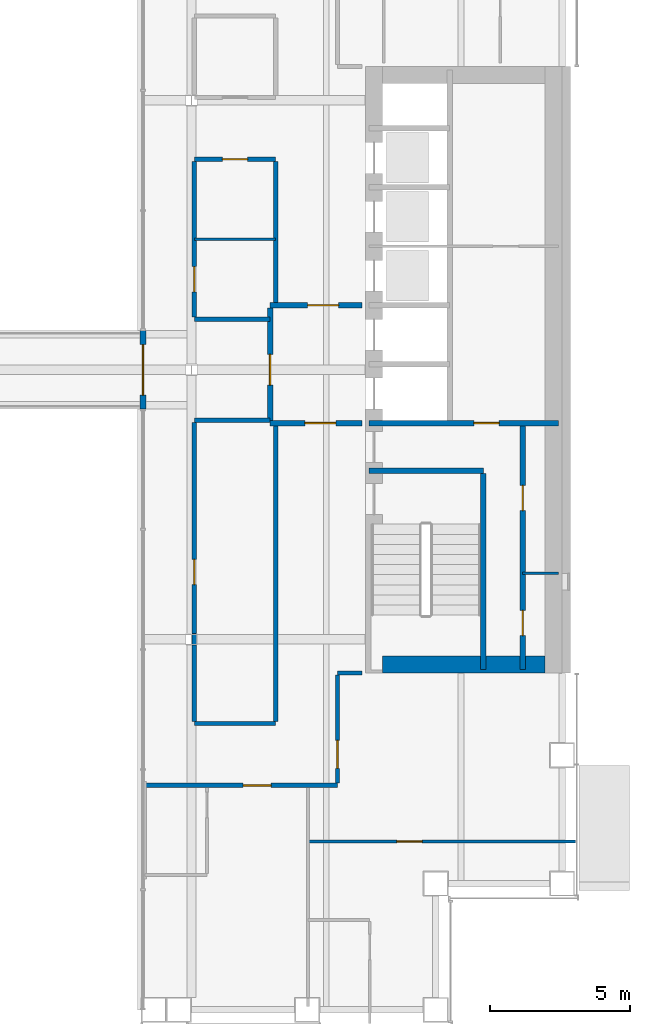
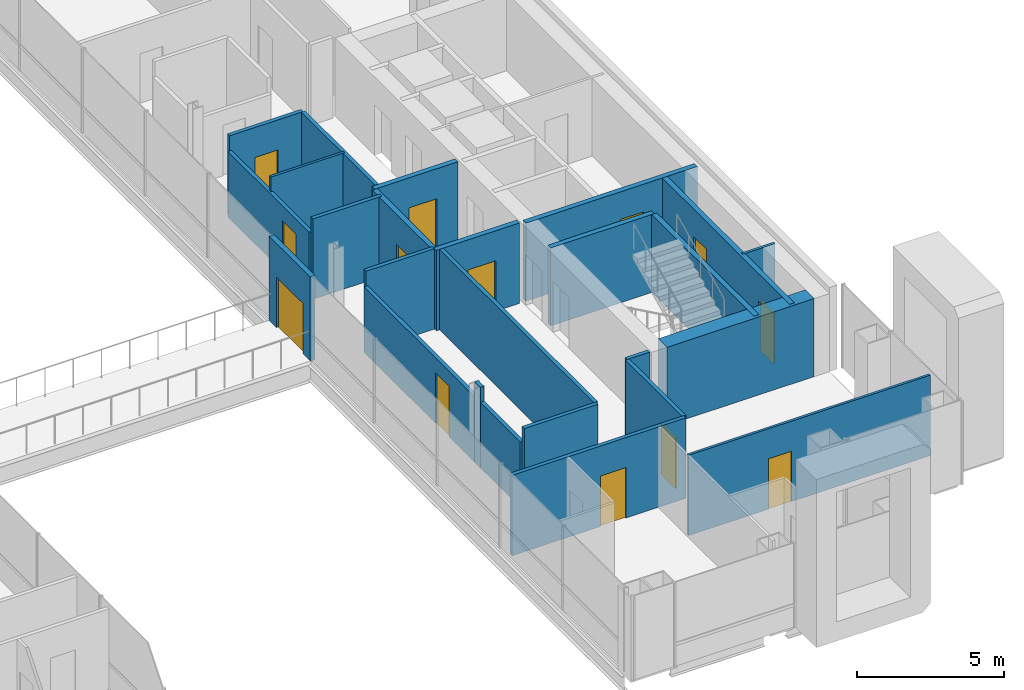
# One storey, part 11 of 17: 25 walls, 13 doors, 13 openings.
"""IFC4 building model written with IfcOpenShell, lengths in metres."""

from ifc_helpers import new_model, si_unit, direction, frame, frame_2d, origin, place, context, subcontext, project, spatial, rectangle, extrude, material, layer, layer_set, type_object, element, fill, save


model = new_model("IFC4")

# Units and contexts
model_context = context("Model", 3, precision=1e-05, world=origin(), true_north=direction((0.0, 1.0)))
body_context = subcontext(model_context, "Body", "Model", "MODEL_VIEW")
ifc_project = project(units=[si_unit("LENGTHUNIT", "METRE"), si_unit("AREAUNIT", "SQUARE_METRE"), si_unit("VOLUMEUNIT", "CUBIC_METRE"), si_unit("PLANEANGLEUNIT", "RADIAN"), si_unit("MASSUNIT", "GRAM", prefix="KILO")], contexts=[model_context])

# Site, building, storey
site_placement = place(None, origin())
site = spatial("IfcSite", under=ifc_project, at=site_placement, CompositionType="ELEMENT")
building_placement = place(site_placement, origin())
building = spatial("IfcBuilding", under=site, at=building_placement, Name="Cobrizo Arcos Hotel Tower", CompositionType="ELEMENT")
storey_placement = place(building_placement, frame((0.0, 0.0, 131.0)))
storey = spatial("IfcBuildingStorey", under=building, at=storey_placement, Name="L33", CompositionType="ELEMENT", Elevation=131.0)

# Wall, opening, door
ifc_material_1 = material(Name="Gypsum board partition")
ifc_layer_1 = layer(ifc_material_1, 0.14990234375)
ifc_layer_set_1 = layer_set([ifc_layer_1], Name="Corridor wall EI 60 150")
wall_type_1 = type_object("IfcWallType", Name="Corridor wall EI 60 150", PredefinedType="PARTITIONING", material=ifc_layer_set_1)
wall_1_placement = place(storey_placement, frame((7.949951171875, -14.800048828125, 0.0), z_axis=(0.0, 0.0, 1.0), x_axis=(1.0, 0.0, 0.0)))
wall_1 = element("IfcWall", 1, at=wall_1_placement, inside=storey, type_object=wall_type_1, Name="Partition 008", PredefinedType="PARTITIONING", context=body_context, shape_type="SweptSolid", body=[
    extrude(rectangle(XDim=6.85009765625, YDim=0.14990234375, at=frame_2d((3.425048828125, 0.0))), origin(), (0.0, 0.0, 1.0), 3.35009765625),
])
opening_1_placement = place(wall_1_placement, frame((3.487060546875, 0.0, 0.0)))
opening_1 = element("IfcOpeningElement", 2, at=opening_1_placement, cuts=wall_1, Name="Opening GD-02", PredefinedType="OPENING", context=body_context, shape_type="SweptSolid", body=[
    extrude(rectangle(XDim=1.0, YDim=2.10009765625, at=frame_2d((0.5, 1.050048828125))), frame((0.0, 0.0869140625, 0.0), z_axis=(0.0, -1.0, 0.0), x_axis=(1.0, 0.0, 0.0)), (0.0, 0.0, 1.0), 0.173828125),
])
ifc_material_2 = material(Name="Timber door leaf", Category="wood")
door_type_1 = type_object("IfcDoorType", Name="Guest room door FD30S 1000x2100", OperationType="SINGLE_SWING_LEFT", PredefinedType="DOOR", material=ifc_material_2)
door_1_placement = place(opening_1_placement, origin())
door_1 = element("IfcDoor", 3, at=door_1_placement, inside=storey, type_object=door_type_1, Name="Door GD-02", OperationType="SINGLE_SWING_LEFT", OverallHeight=2.10009765625, OverallWidth=1.0, PredefinedType="DOOR", context=body_context, shape_type="SweptSolid", body=[
    extrude(rectangle(XDim=1.0, YDim=2.10009765625, at=frame_2d((0.5, 1.050048828125))), frame((0.0, 0.02490234375, 0.0), z_axis=(0.0, -1.0, 0.0), x_axis=(1.0, 0.0, 0.0)), (0.0, 0.0, 1.0), 0.050048828125),
])
fill(opening_1, door_1)

# Walls
wall_2_placement = place(storey_placement, frame((9.699951171875, -12.60009765625, 0.0), z_axis=(0.0, 0.0, 1.0), x_axis=(1.0, 0.0, 0.0)))
element("IfcWall", 4, at=wall_2_placement, inside=storey, type_object=wall_type_1, Name="Partition 010", PredefinedType="PARTITIONING", context=body_context, shape_type="SweptSolid", body=[
    extrude(rectangle(XDim=2.900146484375, YDim=0.14990234375, at=frame_2d((1.4501953125, 0.0))), origin(), (0.0, 0.0, 1.0), 3.35009765625),
])
wall_3_placement = place(storey_placement, frame((14.800048828125, -10.800048828125, 0.0), z_axis=(0.0, 0.0, 1.0), x_axis=(1.0, 0.0, 0.0)))
element("IfcWall", 5, at=wall_3_placement, inside=storey, type_object=wall_type_1, Name="Partition 012", PredefinedType="PARTITIONING", context=body_context, shape_type="SweptSolid", body=[
    extrude(rectangle(XDim=0.8798828125, YDim=0.14990234375, at=frame_2d((0.43994140625, 0.0))), origin(), (0.0, 0.0, 1.0), 3.35009765625),
])
for number, where, z_axis, x_axis, name in (
    (6, (9.699951171875, -1.800048828125, 0.0), (0.0, 0.0, 1.0), (1.0, 0.0, 0.0), "Partition 022"),
    (7, (9.699951171875, 1.800048828125, 0.0), (0.0, 0.0, 1.0), (1.0, 0.0, 0.0), "Partition 026"),
):
    element("IfcWall", number, at=place(storey_placement, frame(where, z_axis=z_axis, x_axis=x_axis)), inside=storey, type_object=wall_type_1, Name=name, PredefinedType="PARTITIONING", context=body_context, shape_type="SweptSolid", body=[
        extrude(rectangle(XDim=2.699951171875, YDim=0.14990234375, at=frame_2d((1.35009765625, 0.0))), origin(), (0.0, 0.0, 1.0), 3.35009765625),
    ])

# Wall, opening, door
wall_4_placement = place(storey_placement, frame((9.699951171875, 7.5, 0.0), z_axis=(0.0, 0.0, 1.0), x_axis=(1.0, 0.0, 0.0)))
wall_4 = element("IfcWall", 8, at=wall_4_placement, inside=storey, type_object=wall_type_1, Name="Partition 037", PredefinedType="PARTITIONING", context=body_context, shape_type="SweptSolid", body=[
    extrude(rectangle(XDim=2.900146484375, YDim=0.14990234375, at=frame_2d((1.4501953125, 0.0))), origin(), (0.0, 0.0, 1.0), 3.35009765625),
])
opening_2_placement = place(wall_4_placement, frame((1.0, 0.0, 0.0)))
opening_2 = element("IfcOpeningElement", 9, at=opening_2_placement, cuts=wall_4, Name="Opening ED-09", PredefinedType="OPENING", context=body_context, shape_type="SweptSolid", body=[
    extrude(rectangle(XDim=0.89990234375, YDim=2.10009765625, at=frame_2d((0.449951171875, 1.050048828125))), frame((0.0, 0.0869140625, 0.0), z_axis=(0.0, -1.0, 0.0), x_axis=(1.0, 0.0, 0.0)), (0.0, 0.0, 1.0), 0.173828125),
])
door_type_2 = type_object("IfcDoorType", Name="En-suite door 900x2100", OperationType="SINGLE_SWING_LEFT", PredefinedType="DOOR", material=ifc_material_2)
door_2_placement = place(opening_2_placement, origin())
door_2 = element("IfcDoor", 10, at=door_2_placement, inside=storey, type_object=door_type_2, Name="Door ED-09", OperationType="SINGLE_SWING_RIGHT", OverallHeight=2.10009765625, OverallWidth=0.89990234375, PredefinedType="DOOR", context=body_context, shape_type="SweptSolid", body=[
    extrude(rectangle(XDim=0.89990234375, YDim=2.10009765625, at=frame_2d((0.449951171875, 1.050048828125))), frame((0.0, 0.02490234375, 0.0), z_axis=(0.0, -1.0, 0.0), x_axis=(1.0, 0.0, 0.0)), (0.0, 0.0, 1.0), 0.050048828125),
])
fill(opening_2, door_2)

# Walls
wall_5_placement = place(storey_placement, frame((9.699951171875, -12.52490234375, 0.0), z_axis=(0.0, 0.0, 1.0), x_axis=(0.0, 1.0, 0.0)))
element("IfcWall", 11, at=wall_5_placement, inside=storey, type_object=wall_type_1, Name="Partition 072", PredefinedType="PARTITIONING", context=body_context, shape_type="SweptSolid", body=[
    extrude(rectangle(XDim=2.725830078125, YDim=0.14990234375, at=frame_2d((1.36279296875, 0.0))), origin(), (0.0, 0.0, 1.0), 2.72802734375),
])
wall_6_placement = place(storey_placement, frame((9.699951171875, -9.799072265625, 0.0), z_axis=(0.0, 0.0, 1.0), x_axis=(0.0, 1.0, 0.0)))
element("IfcWall", 12, at=wall_6_placement, inside=storey, type_object=wall_type_1, Name="Partition 073", PredefinedType="PARTITIONING", context=body_context, shape_type="SweptSolid", body=[
    extrude(rectangle(XDim=0.398193359375, YDim=0.14990234375, at=frame_2d((0.19921875, 0.0))), origin(), (0.0, 0.0, 1.0), 3.35009765625),
])

# Wall, opening, door
wall_7_placement = place(storey_placement, frame((9.699951171875, -9.40087890625, 0.0), z_axis=(0.0, 0.0, 1.0), x_axis=(0.0, 1.0, 0.0)))
wall_7 = element("IfcWall", 13, at=wall_7_placement, inside=storey, type_object=wall_type_1, Name="Partition 074", PredefinedType="PARTITIONING", context=body_context, shape_type="SweptSolid", body=[
    extrude(rectangle(XDim=7.52587890625, YDim=0.14990234375, at=frame_2d((3.762939453125, 0.0))), origin(), (0.0, 0.0, 1.0), 2.72802734375),
])
opening_3_placement = place(wall_7_placement, frame((1.7509765625, 0.0, 0.0)))
opening_3 = element("IfcOpeningElement", 14, at=opening_3_placement, cuts=wall_7, Name="Opening RD-17", PredefinedType="OPENING", context=body_context, shape_type="SweptSolid", body=[
    extrude(rectangle(XDim=0.89990234375, YDim=2.10009765625, at=frame_2d((0.449951171875, 1.050048828125))), frame((0.0, 0.0869140625, 0.0), z_axis=(0.0, -1.0, 0.0), x_axis=(1.0, 0.0, 0.0)), (0.0, 0.0, 1.0), 0.173828125),
])
door_type_3 = type_object("IfcDoorType", Name="Room door FD30 900x2100", OperationType="SINGLE_SWING_LEFT", PredefinedType="DOOR", material=ifc_material_2)
door_3_placement = place(opening_3_placement, origin())
door_3 = element("IfcDoor", 15, at=door_3_placement, inside=storey, type_object=door_type_3, Name="Door RD-17", OperationType="SINGLE_SWING_LEFT", OverallHeight=2.10009765625, OverallWidth=0.89990234375, PredefinedType="DOOR", context=body_context, shape_type="SweptSolid", body=[
    extrude(rectangle(XDim=0.89990234375, YDim=2.10009765625, at=frame_2d((0.449951171875, 1.050048828125))), frame((0.0, 0.02490234375, 0.0), z_axis=(0.0, -1.0, 0.0), x_axis=(1.0, 0.0, 0.0)), (0.0, 0.0, 1.0), 0.050048828125),
])
fill(opening_3, door_3)

wall_8_placement = place(storey_placement, frame((9.699951171875, 1.875, 0.0), z_axis=(0.0, 0.0, 1.0), x_axis=(0.0, 1.0, 0.0)))
wall_8 = element("IfcWall", 16, at=wall_8_placement, inside=storey, type_object=wall_type_1, Name="Partition 075", PredefinedType="PARTITIONING", context=body_context, shape_type="SweptSolid", body=[
    extrude(rectangle(XDim=5.550048828125, YDim=0.14990234375, at=frame_2d((2.77490234375, 0.0))), origin(), (0.0, 0.0, 1.0), 2.72802734375),
])
opening_4_placement = place(wall_8_placement, frame((0.89990234375, 0.0, 0.0)))
opening_4 = element("IfcOpeningElement", 17, at=opening_4_placement, cuts=wall_8, Name="Opening ED-08", PredefinedType="OPENING", context=body_context, shape_type="SweptSolid", body=[
    extrude(rectangle(XDim=0.89990234375, YDim=2.10009765625, at=frame_2d((0.449951171875, 1.050048828125))), frame((0.0, 0.0869140625, 0.0), z_axis=(0.0, -1.0, 0.0), x_axis=(1.0, 0.0, 0.0)), (0.0, 0.0, 1.0), 0.173828125),
])
door_4_placement = place(opening_4_placement, origin())
door_4 = element("IfcDoor", 18, at=door_4_placement, inside=storey, type_object=door_type_2, Name="Door ED-08", OperationType="SINGLE_SWING_LEFT", OverallHeight=2.10009765625, OverallWidth=0.89990234375, PredefinedType="DOOR", context=body_context, shape_type="SweptSolid", body=[
    extrude(rectangle(XDim=0.89990234375, YDim=2.10009765625, at=frame_2d((0.449951171875, 1.050048828125))), frame((0.0, 0.02490234375, 0.0), z_axis=(0.0, -1.0, 0.0), x_axis=(1.0, 0.0, 0.0)), (0.0, 0.0, 1.0), 0.050048828125),
])
fill(opening_4, door_4)

# Walls
wall_9_placement = place(storey_placement, frame((12.60009765625, -12.52490234375, 0.0), z_axis=(0.0, 0.0, 1.0), x_axis=(0.0, 1.0, 0.0)))
element("IfcWall", 19, at=wall_9_placement, inside=storey, type_object=wall_type_1, Name="Partition 079", PredefinedType="PARTITIONING", context=body_context, shape_type="SweptSolid", body=[
    extrude(rectangle(XDim=10.52490234375, YDim=0.14990234375, at=frame_2d((5.262451171875, 0.0))), origin(), (0.0, 0.0, 1.0), 3.35009765625),
])
wall_10_placement = place(storey_placement, frame((12.60009765625, 2.39990234375, 0.0), z_axis=(0.0, 0.0, 1.0), x_axis=(0.0, 1.0, 0.0)))
element("IfcWall", 20, at=wall_10_placement, inside=storey, type_object=wall_type_1, Name="Partition 080", PredefinedType="PARTITIONING", context=body_context, shape_type="SweptSolid", body=[
    extrude(rectangle(XDim=5.025146484375, YDim=0.14990234375, at=frame_2d((2.5126953125, 0.0))), origin(), (0.0, 0.0, 1.0), 3.35009765625),
])

# Wall, opening, door
wall_11_placement = place(storey_placement, frame((14.800048828125, -14.72509765625, 0.0), z_axis=(0.0, 0.0, 1.0), x_axis=(0.0, 1.0, 0.0)))
wall_11 = element("IfcWall", 21, at=wall_11_placement, inside=storey, type_object=wall_type_1, Name="Partition 084", PredefinedType="PARTITIONING", context=body_context, shape_type="SweptSolid", body=[
    extrude(rectangle(XDim=3.85009765625, YDim=0.14990234375, at=frame_2d((1.925048828125, 0.0))), origin(), (0.0, 0.0, 1.0), 3.35009765625),
])
opening_5_placement = place(wall_11_placement, frame((0.52490234375, 0.0, 0.0)))
opening_5 = element("IfcOpeningElement", 22, at=opening_5_placement, cuts=wall_11, Name="Opening GD-06", PredefinedType="OPENING", context=body_context, shape_type="SweptSolid", body=[
    extrude(rectangle(XDim=1.0, YDim=2.10009765625, at=frame_2d((0.5, 1.050048828125))), frame((0.0, 0.0869140625, 0.0), z_axis=(0.0, -1.0, 0.0), x_axis=(1.0, 0.0, 0.0)), (0.0, 0.0, 1.0), 0.173828125),
])
door_5_placement = place(opening_5_placement, origin())
door_5 = element("IfcDoor", 23, at=door_5_placement, inside=storey, type_object=door_type_1, Name="Door GD-06", OperationType="SINGLE_SWING_RIGHT", OverallHeight=2.10009765625, OverallWidth=1.0, PredefinedType="DOOR", context=body_context, shape_type="SweptSolid", body=[
    extrude(rectangle(XDim=1.0, YDim=2.10009765625, at=frame_2d((0.5, 1.050048828125))), frame((0.0, 0.02490234375, 0.0), z_axis=(0.0, -1.0, 0.0), x_axis=(1.0, 0.0, 0.0)), (0.0, 0.0, 1.0), 0.050048828125),
])
fill(opening_5, door_5)

ifc_material_3 = material(Name="Aluminium 6063-T6 anodised pale", Category="aluminium")
ifc_layer_2 = layer(ifc_material_3, 0.199951171875)
ifc_layer_set_2 = layer_set([ifc_layer_2], Name="EW-4 sky bridge door frame wall")
wall_type_2 = type_object("IfcWallType", Name="EW-4 sky bridge door frame wall", PredefinedType="SOLIDWALL", material=ifc_layer_set_2)
wall_12_placement = place(storey_placement, frame((7.875, -1.39990234375, 0.0), z_axis=(0.0, 0.0, 1.0), x_axis=(0.0, 1.0, 0.0)))
wall_12 = element("IfcWall", 24, at=wall_12_placement, inside=storey, type_object=wall_type_2, Name="Sky bridge door wall B E", PredefinedType="SOLIDWALL", context=body_context, shape_type="SweptSolid", body=[
    extrude(rectangle(XDim=2.7998046875, YDim=0.199951171875, at=frame_2d((1.39990234375, 0.0))), origin(), (0.0, 0.0, 1.0), 3.5),
])
opening_6_placement = place(wall_12_placement, frame((0.5, 0.0, 0.0)))
opening_6 = element("IfcOpeningElement", 25, at=opening_6_placement, cuts=wall_12, Name="Opening E-52", PredefinedType="OPENING", context=body_context, shape_type="SweptSolid", body=[
    extrude(rectangle(XDim=1.800048828125, YDim=2.10009765625, at=frame_2d((0.89990234375, 1.050048828125))), frame((0.0, 0.112060546875, 0.0), z_axis=(0.0, -1.0, 0.0), x_axis=(1.0, 0.0, 0.0)), (0.0, 0.0, 1.0), 0.223876953125),
])
ifc_material_4 = material(Name="Aluminium 6063-T6 and clear laminated glass", Category="aluminium")
door_type_4 = type_object("IfcDoorType", Name="D-B1 sky bridge double door 1800x2100", OperationType="DOUBLE_DOOR_DOUBLE_SWING", PredefinedType="DOOR", material=ifc_material_4)
door_6_placement = place(opening_6_placement, origin())
door_6 = element("IfcDoor", 26, at=door_6_placement, inside=storey, type_object=door_type_4, Name="Sky bridge door wall B E door E-52", OperationType="DOUBLE_DOOR_DOUBLE_SWING", OverallHeight=2.10009765625, OverallWidth=1.800048828125, PredefinedType="DOOR", context=body_context, shape_type="SweptSolid", body=[
    extrude(rectangle(XDim=1.800048828125, YDim=2.10009765625, at=frame_2d((0.89990234375, 1.050048828125))), frame((0.0, 0.02490234375, 0.0), z_axis=(0.0, -1.0, 0.0), x_axis=(1.0, 0.0, 0.0)), (0.0, 0.0, 1.0), 0.050048828125),
])
fill(opening_6, door_6)

ifc_layer_3 = layer(ifc_material_1, 0.10009765625)
ifc_layer_set_3 = layer_set([ifc_layer_3], Name="Partition EI 30 100")
wall_type_3 = type_object("IfcWallType", Name="Partition EI 30 100", PredefinedType="PARTITIONING", material=ifc_layer_set_3)
wall_13_placement = place(storey_placement, frame((13.75, -16.800048828125, 0.0), z_axis=(0.0, 0.0, 1.0), x_axis=(1.0, 0.0, 0.0)))
wall_13 = element("IfcWall", 27, at=wall_13_placement, inside=storey, type_object=wall_type_3, Name="Partition 005", PredefinedType="PARTITIONING", context=body_context, shape_type="SweptSolid", body=[
    extrude(rectangle(XDim=9.530029296875, YDim=0.10009765625, at=frame_2d((4.76513671875, 0.0))), origin(), (0.0, 0.0, 1.0), 3.35009765625),
])
opening_7_placement = place(wall_13_placement, frame((3.1630859375, 0.0, 0.0)))
opening_7 = element("IfcOpeningElement", 28, at=opening_7_placement, cuts=wall_13, Name="Opening RD-12", PredefinedType="OPENING", context=body_context, shape_type="SweptSolid", body=[
    extrude(rectangle(XDim=0.89990234375, YDim=2.10009765625, at=frame_2d((0.449951171875, 1.050048828125))), frame((0.0, 0.06201171875, 0.0), z_axis=(0.0, -1.0, 0.0), x_axis=(1.0, 0.0, 0.0)), (0.0, 0.0, 1.0), 0.1240234375),
])
door_7_placement = place(opening_7_placement, origin())
door_7 = element("IfcDoor", 29, at=door_7_placement, inside=storey, type_object=door_type_3, Name="Door RD-12", OperationType="SINGLE_SWING_RIGHT", OverallHeight=2.10009765625, OverallWidth=0.89990234375, PredefinedType="DOOR", context=body_context, shape_type="SweptSolid", body=[
    extrude(rectangle(XDim=0.89990234375, YDim=2.10009765625, at=frame_2d((0.449951171875, 1.050048828125))), frame((0.0, 0.02490234375, 0.0), z_axis=(0.0, -1.0, 0.0), x_axis=(1.0, 0.0, 0.0)), (0.0, 0.0, 1.0), 0.050048828125),
])
fill(opening_7, door_7)

# Walls
wall_14_placement = place(storey_placement, frame((21.39990234375, -7.25, 0.0), z_axis=(0.0, 0.0, 1.0), x_axis=(1.0, 0.0, 0.0)))
element("IfcWall", 30, at=wall_14_placement, inside=storey, type_object=wall_type_3, Name="Partition 014", PredefinedType="PARTITIONING", context=body_context, shape_type="SweptSolid", body=[
    extrude(rectangle(XDim=1.280029296875, YDim=0.10009765625, at=frame_2d((0.64013671875, 0.0))), origin(), (0.0, 0.0, 1.0), 3.25),
])
wall_15_placement = place(storey_placement, frame((9.699951171875, 4.64990234375, 0.0), z_axis=(0.0, 0.0, 1.0), x_axis=(1.0, 0.0, 0.0)))
element("IfcWall", 31, at=wall_15_placement, inside=storey, type_object=wall_type_3, Name="Partition 033", PredefinedType="PARTITIONING", context=body_context, shape_type="SweptSolid", body=[
    extrude(rectangle(XDim=2.900146484375, YDim=0.10009765625, at=frame_2d((1.4501953125, 0.0))), origin(), (0.0, 0.0, 1.0), 3.35009765625),
])
ifc_material_5 = material(Name="Concrete f'c 50 MPa", Category="concrete")
ifc_layer_4 = layer(ifc_material_5, 0.60009765625)
ifc_layer_set_4 = layer_set([ifc_layer_4], Name="RC core wall 600 f'c 50")
wall_type_4 = type_object("IfcWallType", Name="RC core wall 600 f'c 50", PredefinedType="SHEAR", material=ifc_layer_set_4)
wall_16_placement = place(storey_placement, frame((16.39990234375, -10.5, 0.0), z_axis=(0.0, 0.0, 1.0), x_axis=(1.0, 0.0, 0.0)))
element("IfcWall", 32, at=wall_16_placement, inside=storey, type_object=wall_type_4, Name="Core wall CW2, east core, south end, L33", PredefinedType="SHEAR", context=body_context, shape_type="SweptSolid", body=[
    extrude(rectangle(XDim=5.800048828125, YDim=0.60009765625, at=frame_2d((2.89990234375, 0.0))), origin(), (0.0, 0.0, 1.0), 3.25),
])

# Wall, opening, door
ifc_layer_5 = layer(ifc_material_1, 0.199951171875)
ifc_layer_set_5 = layer_set([ifc_layer_5], Name="Shaft wall EI 120 200")
wall_type_5 = type_object("IfcWallType", Name="Shaft wall EI 120 200", PredefinedType="PARTITIONING", material=ifc_layer_set_5)
wall_17_placement = place(storey_placement, frame((12.39990234375, -1.89990234375, 0.0), z_axis=(0.0, 0.0, 1.0), x_axis=(1.0, 0.0, 0.0)))
wall_17 = element("IfcWall", 33, at=wall_17_placement, inside=storey, type_object=wall_type_5, Name="Partition 019", PredefinedType="PARTITIONING", context=body_context, shape_type="SweptSolid", body=[
    extrude(rectangle(XDim=3.280029296875, YDim=0.199951171875, at=frame_2d((1.64013671875, 0.0))), origin(), (0.0, 0.0, 1.0), 3.35009765625),
])
opening_8_placement = place(wall_17_placement, frame((1.239990234375, 0.0, 0.0)))
opening_8 = element("IfcOpeningElement", 34, at=opening_8_placement, cuts=wall_17, Name="Opening FD-07", PredefinedType="OPENING", context=body_context, shape_type="SweptSolid", body=[
    extrude(rectangle(XDim=1.10009765625, YDim=2.10009765625, at=frame_2d((0.550048828125, 1.050048828125))), frame((0.0, 0.112060546875, 0.0), z_axis=(0.0, -1.0, 0.0), x_axis=(1.0, 0.0, 0.0)), (0.0, 0.0, 1.0), 0.223876953125),
])
ifc_material_6 = material(Name="Steel door leaf", Category="steel")
door_type_5 = type_object("IfcDoorType", Name="Fire door FD60 1100x2100", OperationType="SINGLE_SWING_LEFT", PredefinedType="DOOR", material=ifc_material_6)
door_8_placement = place(opening_8_placement, origin())
door_8 = element("IfcDoor", 35, at=door_8_placement, inside=storey, type_object=door_type_5, Name="Door FD-07", OperationType="SINGLE_SWING_LEFT", OverallHeight=2.10009765625, OverallWidth=1.10009765625, PredefinedType="DOOR", context=body_context, shape_type="SweptSolid", body=[
    extrude(rectangle(XDim=1.10009765625, YDim=2.10009765625, at=frame_2d((0.550048828125, 1.050048828125))), frame((0.0, 0.02490234375, 0.0), z_axis=(0.0, -1.0, 0.0), x_axis=(1.0, 0.0, 0.0)), (0.0, 0.0, 1.0), 0.050048828125),
])
fill(opening_8, door_8)

wall_18_placement = place(storey_placement, frame((15.919921875, -1.89990234375, 0.0), z_axis=(0.0, 0.0, 1.0), x_axis=(1.0, 0.0, 0.0)))
wall_18 = element("IfcWall", 36, at=wall_18_placement, inside=storey, type_object=wall_type_5, Name="Partition 020", PredefinedType="PARTITIONING", context=body_context, shape_type="SweptSolid", body=[
    extrude(rectangle(XDim=6.760009765625, YDim=0.199951171875, at=frame_2d((3.3798828125, 0.0))), origin(), (0.0, 0.0, 1.0), 3.25),
])
opening_9_placement = place(wall_18_placement, frame((3.739990234375, 0.0, 0.0)))
opening_9 = element("IfcOpeningElement", 37, at=opening_9_placement, cuts=wall_18, Name="Opening RD-07", PredefinedType="OPENING", context=body_context, shape_type="SweptSolid", body=[
    extrude(rectangle(XDim=0.89990234375, YDim=2.10009765625, at=frame_2d((0.449951171875, 1.050048828125))), frame((0.0, 0.112060546875, 0.0), z_axis=(0.0, -1.0, 0.0), x_axis=(1.0, 0.0, 0.0)), (0.0, 0.0, 1.0), 0.223876953125),
])
door_9_placement = place(opening_9_placement, origin())
door_9 = element("IfcDoor", 38, at=door_9_placement, inside=storey, type_object=door_type_3, Name="Door RD-07", OperationType="SINGLE_SWING_LEFT", OverallHeight=2.10009765625, OverallWidth=0.89990234375, PredefinedType="DOOR", context=body_context, shape_type="SweptSolid", body=[
    extrude(rectangle(XDim=0.89990234375, YDim=2.10009765625, at=frame_2d((0.449951171875, 1.050048828125))), frame((0.0, 0.02490234375, 0.0), z_axis=(0.0, -1.0, 0.0), x_axis=(1.0, 0.0, 0.0)), (0.0, 0.0, 1.0), 0.050048828125),
])
fill(opening_9, door_9)

wall_19_placement = place(storey_placement, frame((12.39990234375, 2.300048828125, 0.0), z_axis=(0.0, 0.0, 1.0), x_axis=(1.0, 0.0, 0.0)))
wall_19 = element("IfcWall", 39, at=wall_19_placement, inside=storey, type_object=wall_type_5, Name="Partition 029", PredefinedType="PARTITIONING", context=body_context, shape_type="SweptSolid", body=[
    extrude(rectangle(XDim=3.280029296875, YDim=0.199951171875, at=frame_2d((1.64013671875, 0.0))), origin(), (0.0, 0.0, 1.0), 3.35009765625),
])
opening_10_placement = place(wall_19_placement, frame((1.340087890625, 0.0, 0.0)))
opening_10 = element("IfcOpeningElement", 40, at=opening_10_placement, cuts=wall_19, Name="Opening FD-08", PredefinedType="OPENING", context=body_context, shape_type="SweptSolid", body=[
    extrude(rectangle(XDim=1.10009765625, YDim=2.10009765625, at=frame_2d((0.550048828125, 1.050048828125))), frame((0.0, 0.112060546875, 0.0), z_axis=(0.0, -1.0, 0.0), x_axis=(1.0, 0.0, 0.0)), (0.0, 0.0, 1.0), 0.223876953125),
])
door_10_placement = place(opening_10_placement, origin())
door_10 = element("IfcDoor", 41, at=door_10_placement, inside=storey, type_object=door_type_5, Name="Door FD-08", OperationType="SINGLE_SWING_LEFT", OverallHeight=2.10009765625, OverallWidth=1.10009765625, PredefinedType="DOOR", context=body_context, shape_type="SweptSolid", body=[
    extrude(rectangle(XDim=1.10009765625, YDim=2.10009765625, at=frame_2d((0.550048828125, 1.050048828125))), frame((0.0, 0.02490234375, 0.0), z_axis=(0.0, -1.0, 0.0), x_axis=(1.0, 0.0, 0.0)), (0.0, 0.0, 1.0), 0.050048828125),
])
fill(opening_10, door_10)

wall_20_placement = place(storey_placement, frame((12.39990234375, -1.800048828125, 0.0), z_axis=(0.0, 0.0, 1.0), x_axis=(0.0, 1.0, 0.0)))
wall_20 = element("IfcWall", 42, at=wall_20_placement, inside=storey, type_object=wall_type_5, Name="Partition 078", PredefinedType="PARTITIONING", context=body_context, shape_type="SweptSolid", body=[
    extrude(rectangle(XDim=4.0, YDim=0.199951171875, at=frame_2d((2.0, 0.0))), origin(), (0.0, 0.0, 1.0), 3.35009765625),
])
opening_11_placement = place(wall_20_placement, frame((1.25, 0.0, 0.0)))
opening_11 = element("IfcOpeningElement", 43, at=opening_11_placement, cuts=wall_20, Name="Opening FD-06", PredefinedType="OPENING", context=body_context, shape_type="SweptSolid", body=[
    extrude(rectangle(XDim=1.10009765625, YDim=2.10009765625, at=frame_2d((0.550048828125, 1.050048828125))), frame((0.0, 0.112060546875, 0.0), z_axis=(0.0, -1.0, 0.0), x_axis=(1.0, 0.0, 0.0)), (0.0, 0.0, 1.0), 0.223876953125),
])
door_11_placement = place(opening_11_placement, origin())
door_11 = element("IfcDoor", 44, at=door_11_placement, inside=storey, type_object=door_type_5, Name="Door FD-06", OperationType="SINGLE_SWING_RIGHT", OverallHeight=2.10009765625, OverallWidth=1.10009765625, PredefinedType="DOOR", context=body_context, shape_type="SweptSolid", body=[
    extrude(rectangle(XDim=1.10009765625, YDim=2.10009765625, at=frame_2d((0.550048828125, 1.050048828125))), frame((0.0, 0.02490234375, 0.0), z_axis=(0.0, -1.0, 0.0), x_axis=(1.0, 0.0, 0.0)), (0.0, 0.0, 1.0), 0.050048828125),
])
fill(opening_11, door_11)

# Wall, openings, doors
wall_21_placement = place(storey_placement, frame((21.39990234375, -10.679931640625, 0.0), z_axis=(0.0, 0.0, 1.0), x_axis=(0.0, 1.0, 0.0)))
wall_21 = element("IfcWall", 45, at=wall_21_placement, inside=storey, type_object=wall_type_5, Name="Partition 092", PredefinedType="PARTITIONING", context=body_context, shape_type="SweptSolid", body=[
    extrude(rectangle(XDim=8.679931640625, YDim=0.199951171875, at=frame_2d((4.33984375, 0.0))), origin(), (0.0, 0.0, 1.0), 3.25),
])
opening_12_placement = place(wall_21_placement, frame((1.2099609375, 0.0, 0.0)))
opening_12 = element("IfcOpeningElement", 46, at=opening_12_placement, cuts=wall_21, Name="Opening RD-05", PredefinedType="OPENING", context=body_context, shape_type="SweptSolid", body=[
    extrude(rectangle(XDim=0.89990234375, YDim=2.10009765625, at=frame_2d((0.449951171875, 1.050048828125))), frame((0.0, 0.112060546875, 0.0), z_axis=(0.0, -1.0, 0.0), x_axis=(1.0, 0.0, 0.0)), (0.0, 0.0, 1.0), 0.223876953125),
])
opening_13_placement = place(wall_21_placement, frame((5.659912109375, 0.0, 0.0)))
opening_13 = element("IfcOpeningElement", 47, at=opening_13_placement, cuts=wall_21, Name="Opening RD-06", PredefinedType="OPENING", context=body_context, shape_type="SweptSolid", body=[
    extrude(rectangle(XDim=0.89990234375, YDim=2.10009765625, at=frame_2d((0.449951171875, 1.050048828125))), frame((0.0, 0.112060546875, 0.0), z_axis=(0.0, -1.0, 0.0), x_axis=(1.0, 0.0, 0.0)), (0.0, 0.0, 1.0), 0.223876953125),
])
door_12_placement = place(opening_12_placement, origin())
door_12 = element("IfcDoor", 48, at=door_12_placement, inside=storey, type_object=door_type_3, Name="Door RD-05", OperationType="SINGLE_SWING_LEFT", OverallHeight=2.10009765625, OverallWidth=0.89990234375, PredefinedType="DOOR", context=body_context, shape_type="SweptSolid", body=[
    extrude(rectangle(XDim=0.89990234375, YDim=2.10009765625, at=frame_2d((0.449951171875, 1.050048828125))), frame((0.0, 0.02490234375, 0.0), z_axis=(0.0, -1.0, 0.0), x_axis=(1.0, 0.0, 0.0)), (0.0, 0.0, 1.0), 0.050048828125),
])
fill(opening_12, door_12)
door_13_placement = place(opening_13_placement, origin())
door_13 = element("IfcDoor", 49, at=door_13_placement, inside=storey, type_object=door_type_3, Name="Door RD-06", OperationType="SINGLE_SWING_RIGHT", OverallHeight=2.10009765625, OverallWidth=0.89990234375, PredefinedType="DOOR", context=body_context, shape_type="SweptSolid", body=[
    extrude(rectangle(XDim=0.89990234375, YDim=2.10009765625, at=frame_2d((0.449951171875, 1.050048828125))), frame((0.0, 0.02490234375, 0.0), z_axis=(0.0, -1.0, 0.0), x_axis=(1.0, 0.0, 0.0)), (0.0, 0.0, 1.0), 0.050048828125),
])
fill(opening_13, door_13)

# Walls
ifc_material_7 = material(Name="Concrete f'c 40 MPa", Category="concrete")
ifc_layer_6 = layer(ifc_material_7, 0.199951171875)
ifc_layer_set_6 = layer_set([ifc_layer_6], Name="Stair shaft wall 200")
wall_type_6 = type_object("IfcWallType", Name="Stair shaft wall 200", PredefinedType="SHEAR", material=ifc_layer_set_6)
wall_22_placement = place(storey_placement, frame((15.919921875, -3.60009765625, 0.0), z_axis=(0.0, 0.0, 1.0), x_axis=(1.0, 0.0, 0.0)))
element("IfcWall", 50, at=wall_22_placement, inside=storey, type_object=wall_type_6, Name="Stair shaft wall E", PredefinedType="SHEAR", context=body_context, shape_type="SweptSolid", body=[
    extrude(rectangle(XDim=4.080078125, YDim=0.199951171875, at=frame_2d((2.0400390625, 0.0))), origin(), (0.0, 0.0, 1.0), 3.25),
])
wall_23_placement = place(storey_placement, frame((20.0, -10.679931640625, 0.0), z_axis=(0.0, 0.0, 1.0), x_axis=(0.0, 1.0, 0.0)))
element("IfcWall", 51, at=wall_23_placement, inside=storey, type_object=wall_type_6, Name="Stair shaft wall E", PredefinedType="SHEAR", context=body_context, shape_type="SweptSolid", body=[
    extrude(rectangle(XDim=6.97998046875, YDim=0.199951171875, at=frame_2d((3.489990234375, 0.0))), origin(), (0.0, 0.0, 1.0), 3.25),
])

save(model, "model.ifc")
